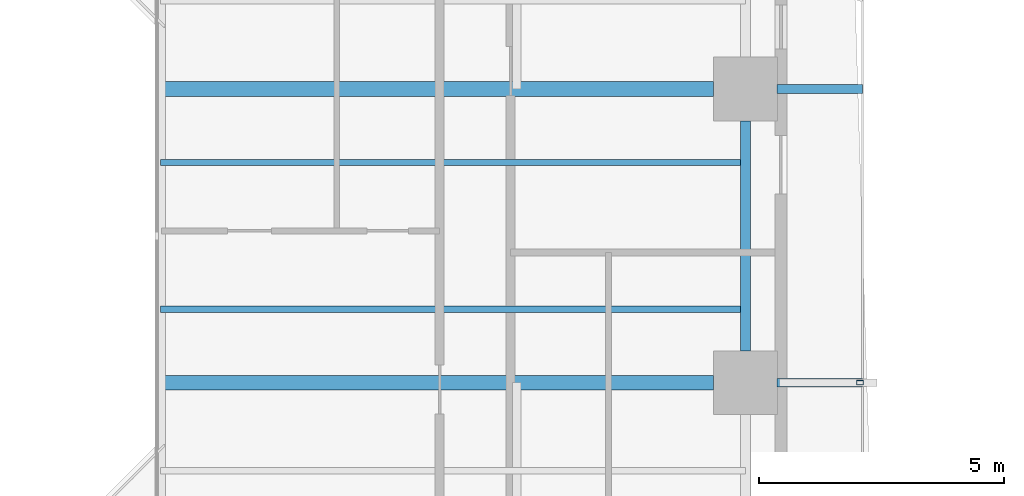
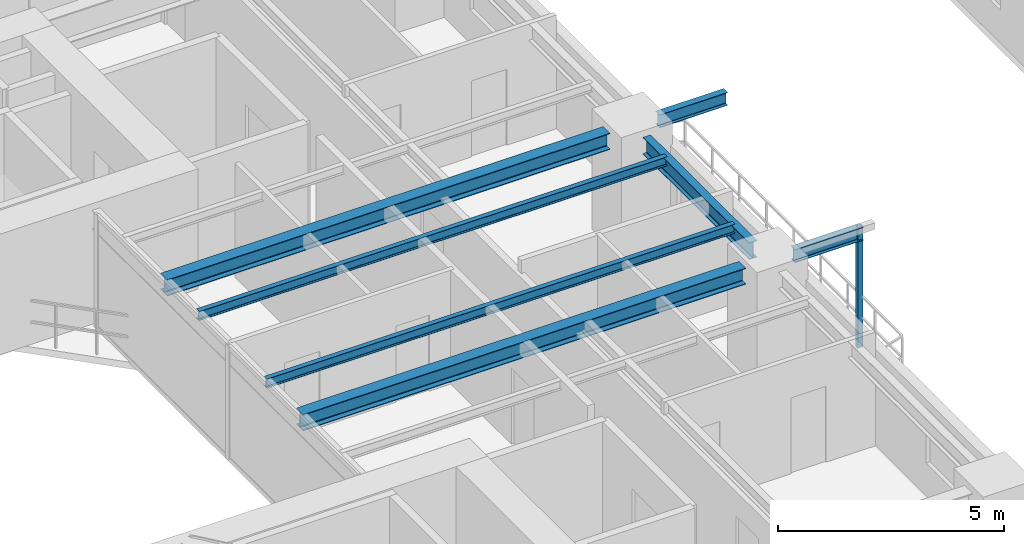
# One storey, part 7 of 23: 7 beams, 1 member.
"""IFC4 building model written with IfcOpenShell, lengths in metres."""

from ifc_helpers import new_model, si_unit, direction, frame, origin, origin_2d, place, context, subcontext, project, spatial, hollow_rectangle, i_section, extrude, source, transform, mapped, material, material_profile, profile_set, type_object, element, save


model = new_model("IFC4")

# Units and contexts
model_context = context("Model", 3, precision=1e-05, world=origin(), true_north=direction((0.0, 1.0)))
body_context = subcontext(model_context, "Body", "Model", "MODEL_VIEW")
ifc_project = project(units=[si_unit("LENGTHUNIT", "METRE"), si_unit("AREAUNIT", "SQUARE_METRE"), si_unit("VOLUMEUNIT", "CUBIC_METRE"), si_unit("PLANEANGLEUNIT", "RADIAN"), si_unit("MASSUNIT", "GRAM", prefix="KILO"), si_unit("THERMODYNAMICTEMPERATUREUNIT", "KELVIN"), si_unit("POWERUNIT", "WATT")], contexts=[model_context])

# Site, building, storey
site_placement = place(None, origin())
site = spatial("IfcSite", under=ifc_project, at=site_placement, CompositionType="ELEMENT")
building_placement = place(site_placement, origin())
building = spatial("IfcBuilding", under=site, at=building_placement, Name="Qiaomeng Ring Towers", CompositionType="ELEMENT")
storey_placement = place(building_placement, frame((0.0, 0.0, 86.0)))
storey = spatial("IfcBuildingStorey", under=building, at=storey_placement, Name="L24", CompositionType="ELEMENT", Elevation=86.0)

# Beams
ifc_material_1 = material(Name="Steel Q355B", Category="steel")
ifc_material_profile_1 = material_profile(ifc_material_1, i_section(OverallWidth=0.199951171875, OverallDepth=0.449951171875, WebThickness=0.009033203125, FlangeThickness=0.013916015625, FilletRadius=0.01806640625, at=origin_2d()), Name="HN 450x200x9x14")
ifc_profile_set_1 = profile_set([ifc_material_profile_1], Name="Steel Q355B")
beam_type_1 = type_object("IfcBeamType", Name="STR-BM-HN450", PredefinedType="SPANDREL", material=ifc_profile_set_1)
shared_shape_1 = source(origin(), body_context, "Body", "SweptSolid", [
    extrude(i_section(OverallWidth=0.199951171875, OverallDepth=0.449951171875, WebThickness=0.009033203125, FlangeThickness=0.013916015625, FilletRadius=0.01806640625, at=origin_2d()), origin(), (0.0, 0.0, 1.0), 4.7021484375),
])
beam_placement = place(storey_placement, frame((37.14990234375, 20.64892578125, 2.844970703125), z_axis=(0.0, 1.0, 0.0), x_axis=(-1.0, 0.0, 0.0)))
element("IfcBeam", 1, at=beam_placement, inside=storey, type_object=beam_type_1, Name="L24 beam STR-SP-L24-T1-E2-E3", PredefinedType="SPANDREL", context=body_context, shape_type="MappedRepresentation", body=[
    mapped(shared_shape_1, transform((0.0, 0.0, 0.0), x_axis=(1.0, 0.0, 0.0), y_axis=(0.0, 1.0, 0.0), z_axis=(0.0, 0.0, 1.0), scale=1.0)),
])
ifc_material_profile_2 = material_profile(ifc_material_1, i_section(OverallWidth=0.300048828125, OverallDepth=0.43994140625, WebThickness=0.010986328125, FlangeThickness=0.01806640625, FilletRadius=0.02392578125, at=origin_2d()), Name="HM 440x300x11x18")
ifc_profile_set_2 = profile_set([ifc_material_profile_2], Name="Steel Q355B")
beam_type_2 = type_object("IfcBeamType", Name="STR-BM-HM440", PredefinedType="BEAM", material=ifc_profile_set_2)
shared_shape_2 = source(origin(), body_context, "Body", "SweptSolid", [
    extrude(i_section(OverallWidth=0.300048828125, OverallDepth=0.43994140625, WebThickness=0.010986328125, FlangeThickness=0.01806640625, FilletRadius=0.02392578125, at=origin_2d()), origin(), (0.0, 0.0, 1.0), 11.301025390625),
])
for number, where, z_axis, x_axis, name in (
    (2, (25.199951171875, 20.0, 2.85009765625), (1.0, 0.0, 0.0), (0.0, 1.0, 0.0), "L24 beam STR-BM-L24-T1-RAD-E2"),
    (3, (25.199951171875, 26.0, 2.85009765625), (1.0, 0.0, 0.0), (0.0, 1.0, 0.0), "L24 beam STR-BM-L24-T1-RAD-E3"),
):
    element("IfcBeam", number, at=place(storey_placement, frame(where, z_axis=z_axis, x_axis=x_axis)), inside=storey, type_object=beam_type_2, Name=name, PredefinedType="BEAM", context=body_context, shape_type="MappedRepresentation", body=[
        mapped(shared_shape_2, transform((0.0, 0.0, 0.0), x_axis=(1.0, 0.0, 0.0), y_axis=(0.0, 1.0, 0.0), z_axis=(0.0, 0.0, 1.0), scale=1.0)),
    ])
ifc_material_profile_3 = material_profile(ifc_material_1, i_section(OverallWidth=0.125, OverallDepth=0.25, WebThickness=0.006103515625, FlangeThickness=0.009033203125, FilletRadius=0.011962890625, at=origin_2d()), Name="HN 250x125x6x9")
ifc_profile_set_3 = profile_set([ifc_material_profile_3], Name="Steel Q355B")
beam_type_3 = type_object("IfcBeamType", Name="STR-BM-HN250", PredefinedType="JOIST", material=ifc_profile_set_3)
shared_shape_3 = source(origin(), body_context, "Body", "SweptSolid", [
    extrude(i_section(OverallWidth=0.125, OverallDepth=0.25, WebThickness=0.006103515625, FlangeThickness=0.009033203125, FilletRadius=0.011962890625, at=origin_2d()), origin(), (0.0, 0.0, 1.0), 11.949951171875),
])
for number, where, z_axis, x_axis, name in (
    (4, (25.199951171875, 21.5, 2.945068359375), (1.0, 0.0, 0.0), (0.0, 1.0, 0.0), "L24 beam STR-JST-L24-T1E-2"),
    (5, (25.199951171875, 24.5, 2.945068359375), (1.0, 0.0, 0.0), (0.0, 1.0, 0.0), "L24 beam STR-JST-L24-T1E-3"),
):
    element("IfcBeam", number, at=place(storey_placement, frame(where, z_axis=z_axis, x_axis=x_axis)), inside=storey, type_object=beam_type_3, Name=name, PredefinedType="JOIST", context=body_context, shape_type="MappedRepresentation", body=[
        mapped(shared_shape_3, transform((0.0, 0.0, 0.0), x_axis=(1.0, 0.0, 0.0), y_axis=(0.0, 1.0, 0.0), z_axis=(0.0, 0.0, 1.0), scale=1.0)),
    ])
ifc_material_profile_4 = material_profile(ifc_material_1, i_section(OverallWidth=0.175048828125, OverallDepth=0.35009765625, WebThickness=0.007080078125, FlangeThickness=0.010986328125, FilletRadius=0.013916015625, at=origin_2d()), Name="HN 350x175x7x11")
ifc_profile_set_4 = profile_set([ifc_material_profile_4], Name="Steel Q355B")
beam_type_4 = type_object("IfcBeamType", Name="STR-BM-HN350", PredefinedType="JOIST", material=ifc_profile_set_4)
shared_shape_4 = source(origin(), body_context, "Body", "SweptSolid", [
    extrude(i_section(OverallWidth=0.175048828125, OverallDepth=0.35009765625, WebThickness=0.007080078125, FlangeThickness=0.010986328125, FilletRadius=0.013916015625, at=origin_2d()), origin(), (0.0, 0.0, 1.0), 1.740966796875),
])
for number, where, z_axis, x_axis, name in (
    (6, (37.799072265625, 20.0, 2.89501953125), (1.0, 0.0, 0.0), (0.0, 1.0, 0.0), "L24 beam STR-BALBM-L24-E2"),
    (7, (37.799072265625, 26.0, 2.89501953125), (1.0, 0.0, 0.0), (0.0, 1.0, 0.0), "L24 beam STR-BALBM-L24-E3"),
):
    element("IfcBeam", number, at=place(storey_placement, frame(where, z_axis=z_axis, x_axis=x_axis)), inside=storey, type_object=beam_type_4, Name=name, PredefinedType="JOIST", context=body_context, shape_type="MappedRepresentation", body=[
        mapped(shared_shape_4, transform((0.0, 0.0, 0.0), x_axis=(1.0, 0.0, 0.0), y_axis=(0.0, 1.0, 0.0), z_axis=(0.0, 0.0, 1.0), scale=1.0)),
    ])

# Member
ifc_material_2 = material(Name="Stainless steel 316", Category="steel")
ifc_material_profile_5 = material_profile(ifc_material_2, hollow_rectangle(XDim=0.090087890625, YDim=0.139892578125, WallThickness=0.0048828125, at=origin_2d()), Name="SS TRELLIS 90x140")
ifc_profile_set_5 = profile_set([ifc_material_profile_5], Name="Stainless steel 316")
member_type = type_object("IfcMemberType", Name="ARC-TR-POST1", PredefinedType="STUD", material=ifc_profile_set_5)
shared_shape_5 = source(origin(), body_context, "Body", "SweptSolid", [
    extrude(hollow_rectangle(XDim=0.090087890625, YDim=0.139892578125, WallThickness=0.0048828125, at=origin_2d()), origin(), (0.0, 0.0, 1.0), 3.25),
])
member_placement = place(storey_placement, frame((39.489990234375, 20.0, -0.179931640625), z_axis=(0.0, 0.0, 1.0), x_axis=(0.0, 1.0, 0.0)))
element("IfcMember", 8, at=member_placement, inside=storey, type_object=member_type, Name="L24 Outer Ventilated Trellis Post E", PredefinedType="STUD", context=body_context, shape_type="MappedRepresentation", body=[
    mapped(shared_shape_5, transform((0.0, 0.0, 0.0), x_axis=(1.0, 0.0, 0.0), y_axis=(0.0, 1.0, 0.0), z_axis=(0.0, 0.0, 1.0), scale=1.0)),
])

save(model, "model.ifc")
